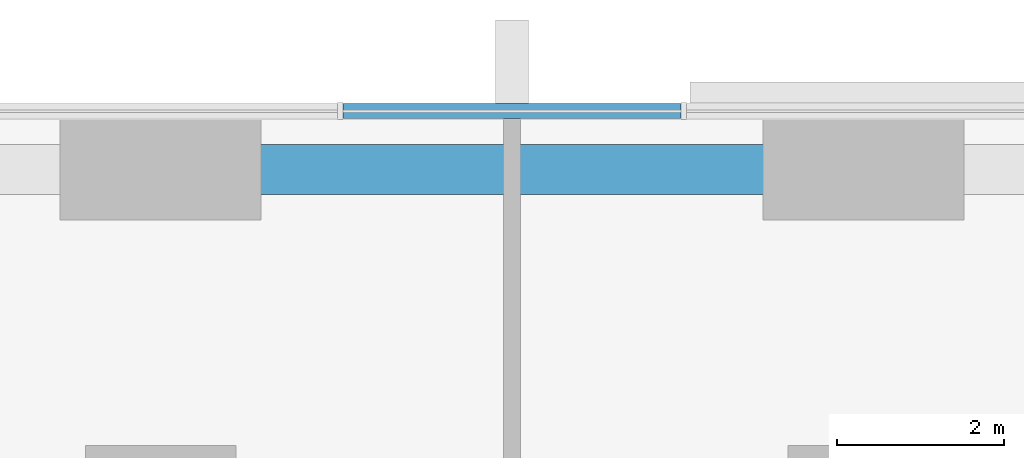
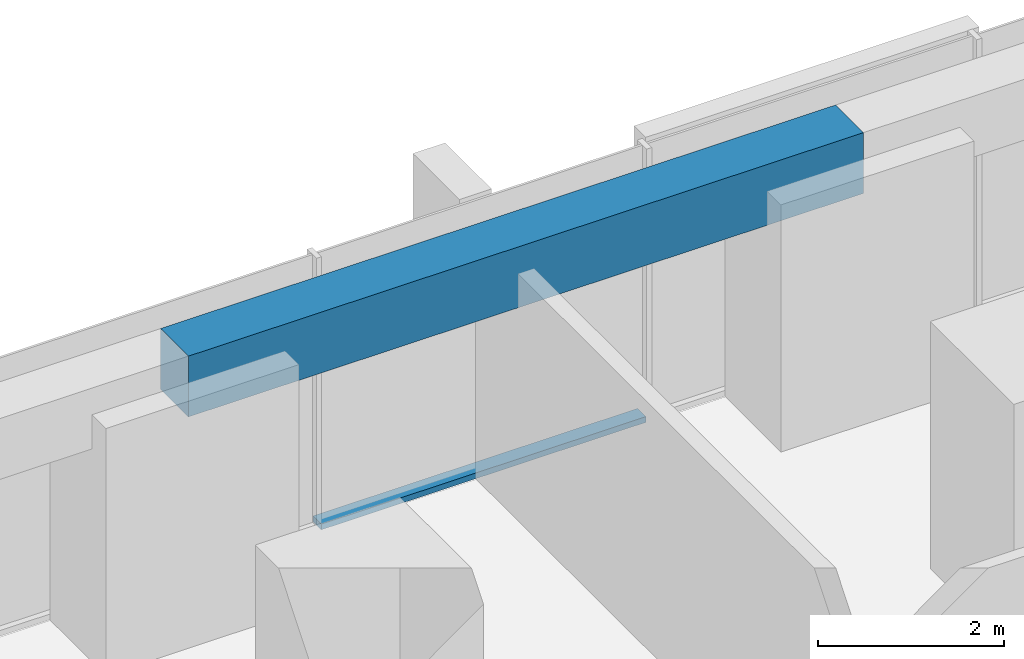
# One storey, part 7 of 17: 1 beam, 1 member, 1 element without a shape of its own.
"""IFC4 building model written with IfcOpenShell, lengths in metres."""

from ifc_helpers import new_model, si_unit, direction, frame, origin, origin_2d, place, context, subcontext, project, spatial, rectangle, extrude, material, material_profile, profile_set, type_object, element, aggregate, save


model = new_model("IFC4")

# Units and contexts
model_context = context("Model", 3, precision=1e-05, world=origin(), true_north=direction((0.0, 1.0)))
body_context = subcontext(model_context, "Body", "Model", "MODEL_VIEW")
ifc_project = project(units=[si_unit("LENGTHUNIT", "METRE"), si_unit("AREAUNIT", "SQUARE_METRE"), si_unit("VOLUMEUNIT", "CUBIC_METRE"), si_unit("PLANEANGLEUNIT", "RADIAN"), si_unit("MASSUNIT", "GRAM", prefix="KILO")], contexts=[model_context])

# Site, building, storey
site_placement = place(None, origin())
site = spatial("IfcSite", under=ifc_project, at=site_placement, CompositionType="ELEMENT")
building_placement = place(site_placement, origin())
building = spatial("IfcBuilding", under=site, at=building_placement, Name="Dunama Terrace Hotel", CompositionType="ELEMENT")
storey_placement = place(building_placement, frame((0.0, 0.0, 73.800048828125)))
storey = spatial("IfcBuildingStorey", under=building, at=storey_placement, Name="L18", CompositionType="ELEMENT", Elevation=73.800048828125)

# Curtain wall, member
ifc_material_1 = material(Name="Aluminium curtain wall system", Category="aluminium")
curtain_wall_type = type_object("IfcCurtainWallType", Name="Unitised fritted glass wall CW-A", PredefinedType="NOTDEFINED", material=ifc_material_1)
curtain_wall_placement = place(storey_placement, origin())
curtain_wall = element("IfcCurtainWall", 1, at=curtain_wall_placement, inside=storey, type_object=curtain_wall_type, Name="Unitised fritted glass wall CW-A L18", PredefinedType="NOTDEFINED")
ifc_material_2 = material(Name="Aluminium transom", Category="aluminium")
ifc_material_profile_1 = material_profile(ifc_material_2, rectangle(XDim=0.179931640625, YDim=0.074951171875, at=origin_2d()), Name="CWA TRANSOM 180X75")
ifc_profile_set_1 = profile_set([ifc_material_profile_1], Name="Aluminium transom")
member_type = type_object("IfcMemberType", Name="CWA transom 180x75", PredefinedType="USERDEFINED", material=ifc_profile_set_1)
member_placement = place(storey_placement, frame((31.4208984375, 58.89990234375, 0.037353515625), z_axis=(-1.0, 0.0, 0.0), x_axis=(0.0, -1.0, 0.0)))
member = element("IfcMember", 2, at=member_placement, type_object=member_type, Name="CWA transom", ObjectType="TRANSOM", PredefinedType="USERDEFINED", context=body_context, shape_type="SweptSolid", body=[
    extrude(rectangle(XDim=0.179931640625, YDim=0.074951171875, at=origin_2d()), origin(), (0.0, 0.0, 1.0), 4.0419921875),
])
aggregate(curtain_wall, [member])

# Beam
ifc_material_3 = material(Name="Concrete C40/50", Category="concrete")
ifc_material_profile_2 = material_profile(ifc_material_3, rectangle(XDim=0.60009765625, YDim=0.800048828125, at=origin_2d()), Name="RC 600x800")
ifc_profile_set_2 = profile_set([ifc_material_profile_2], Name="Concrete C40/50")
beam_type = type_object("IfcBeamType", Name="Edge beam RC 600x800", PredefinedType="SPANDREL", material=ifc_profile_set_2)
beam_placement = place(storey_placement, frame((25.199951171875, 58.199951171875, 3.199951171875), z_axis=(1.0, 0.0, 0.0), x_axis=(0.0, 1.0, 0.0)))
element("IfcBeam", 3, at=beam_placement, inside=storey, type_object=beam_type, Name="Edge beam under L19", PredefinedType="SPANDREL", context=body_context, shape_type="SweptSolid", body=[
    extrude(rectangle(XDim=0.60009765625, YDim=0.800048828125, at=origin_2d()), origin(), (0.0, 0.0, 1.0), 8.400146484375),
])

save(model, "model.ifc")
